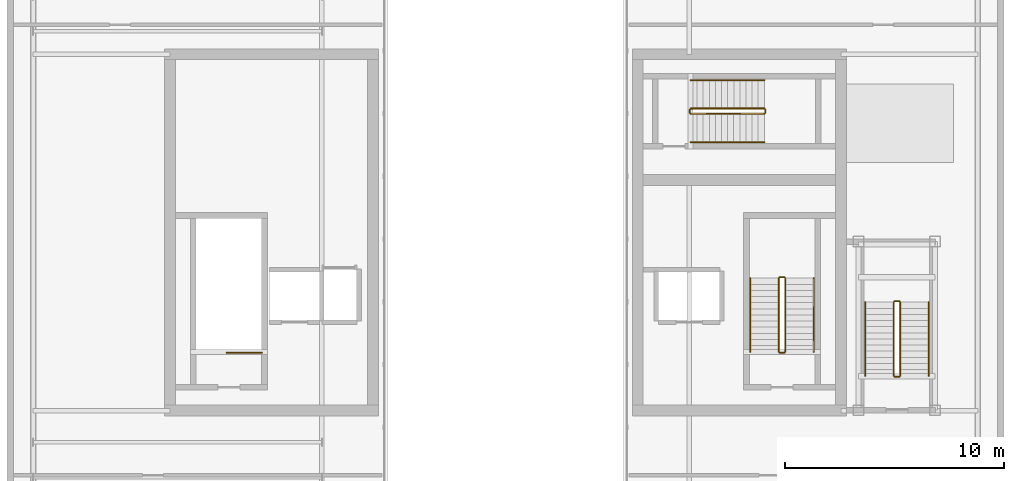
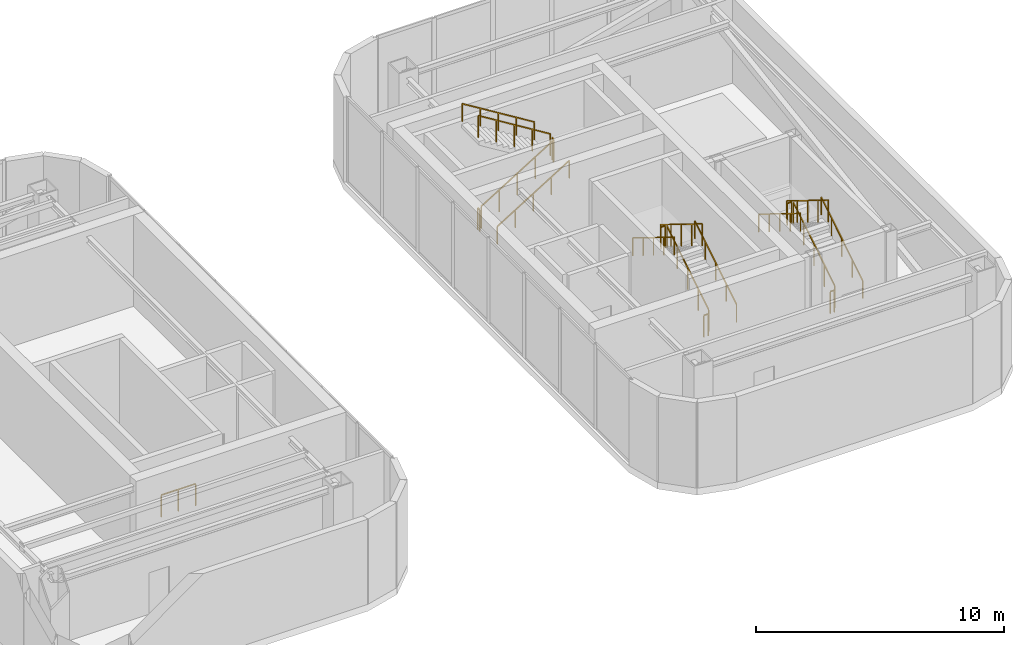
# One storey, part 13 of 13: 19 railings.
"""IFC4 building model written with IfcOpenShell, lengths in metres."""

from ifc_helpers import new_model, si_unit, direction, frame, origin, origin_2d, place, context, subcontext, project, spatial, rectangle, extrude, material, type_object, element, save


model = new_model("IFC4")

# Units and contexts
model_context = context("Model", 3, precision=1e-05, world=origin(), true_north=direction((0.0, 1.0)))
body_context = subcontext(model_context, "Body", "Model", "MODEL_VIEW")
ifc_project = project(units=[si_unit("LENGTHUNIT", "METRE"), si_unit("AREAUNIT", "SQUARE_METRE"), si_unit("VOLUMEUNIT", "CUBIC_METRE"), si_unit("PLANEANGLEUNIT", "RADIAN"), si_unit("MASSUNIT", "GRAM", prefix="KILO")], contexts=[model_context])

# Site, building, storey
site_placement = place(None, origin())
site = spatial("IfcSite", under=ifc_project, at=site_placement, CompositionType="ELEMENT")
building_placement = place(site_placement, origin())
building = spatial("IfcBuilding", under=site, at=building_placement, Name="Kiyonajd Concourse Tower", CompositionType="ELEMENT")
storey_placement = place(building_placement, frame((0.0, 0.0, 363.89990234375)))
storey = spatial("IfcBuildingStorey", under=building, at=storey_placement, Name="L91", CompositionType="ELEMENT", Elevation=363.89990234375)

# Railings
ifc_material_1 = material(Name="Steel ASTM A500 Grade C", Category="steel")
railing_type_1 = type_object("IfcRailingType", Name="RL-GRD-STR", PredefinedType="GUARDRAIL", material=ifc_material_1)
railing_1_placement = place(storey_placement, frame((36.85009765625, 30.5, 0.0)))
element("IfcRailing", 1, at=railing_1_placement, inside=storey, type_object=railing_type_1, Name="L91 ST1 top well guard 1", PredefinedType="GUARDRAIL", context=body_context, shape_type="SweptSolid", body=[
    extrude(rectangle(XDim=0.048095703125, YDim=0.048095703125, at=origin_2d()), frame((0.0, 0.0, 1.076171875), z_axis=(-1.0, 0.0, 0.0), x_axis=(0.0, -1.0, 0.0)), (0.0, 0.0, 1.0), 1.60009765625),
    extrude(rectangle(XDim=0.0419921875, YDim=0.0419921875, at=origin_2d()), origin(), (0.0, 0.0, 1.0), 1.052001953125),
    extrude(rectangle(XDim=0.0419921875, YDim=0.0419921875, at=origin_2d()), frame((-0.800048828125, 0.0, 0.0)), (0.0, 0.0, 1.0), 1.052001953125),
    extrude(rectangle(XDim=0.0419921875, YDim=0.0419921875, at=origin_2d()), frame((-1.60009765625, 0.0, 0.0)), (0.0, 0.0, 1.0), 1.052001953125),
])
railing_2_placement = place(storey_placement, frame((60.800048828125, 30.550048828125, 0.173095703125)))
element("IfcRailing", 2, at=railing_2_placement, inside=storey, type_object=railing_type_1, Name="L91 ST2 stair guard 1", PredefinedType="GUARDRAIL", context=body_context, shape_type="SweptSolid", body=[
    extrude(rectangle(XDim=0.048095703125, YDim=0.048095703125, at=origin_2d()), frame((0.0, 0.0, 1.076171875), z_axis=(0.0, 0.850606129759, 0.525803396734), x_axis=(-1.0, 0.0, 0.0)), (0.0, 0.0, 1.0), 3.949951171875),
    extrude(rectangle(XDim=0.0419921875, YDim=0.0419921875, at=origin_2d()), origin(), (0.0, 0.0, 1.0), 1.052001953125),
    extrude(rectangle(XDim=0.0419921875, YDim=0.0419921875, at=origin_2d()), frame((0.0, 0.83984375, 0.519287109375)), (0.0, 0.0, 1.0), 1.052001953125),
    extrude(rectangle(XDim=0.0419921875, YDim=0.0419921875, at=origin_2d()), frame((0.0, 1.679931640625, 1.03857421875)), (0.0, 0.0, 1.0), 1.052001953125),
    extrude(rectangle(XDim=0.0419921875, YDim=0.0419921875, at=origin_2d()), frame((0.0, 2.52001953125, 1.5576171875)), (0.0, 0.0, 1.0), 1.052001953125),
    extrude(rectangle(XDim=0.0419921875, YDim=0.0419921875, at=origin_2d()), frame((0.0, 3.35986328125, 2.076904296875)), (0.0, 0.0, 1.0), 1.052001953125),
])
railing_3_placement = place(storey_placement, frame((60.75, 33.9599609375, 2.25)))
element("IfcRailing", 3, at=railing_3_placement, inside=storey, type_object=railing_type_1, Name="L91 ST2 stair guard 2", PredefinedType="GUARDRAIL", context=body_context, shape_type="SweptSolid", body=[
    extrude(rectangle(XDim=0.048095703125, YDim=0.048095703125, at=origin_2d()), frame((0.0, 0.0, 1.076171875), z_axis=(-1.0, 0.0, 0.0), x_axis=(0.0, -1.0, 0.0)), (0.0, 0.0, 1.0), 0.199951171875),
    extrude(rectangle(XDim=0.0419921875, YDim=0.0419921875, at=origin_2d()), origin(), (0.0, 0.0, 1.0), 1.052001953125),
    extrude(rectangle(XDim=0.0419921875, YDim=0.0419921875, at=origin_2d()), frame((-0.199951171875, 0.0, 0.0)), (0.0, 0.0, 1.0), 1.052001953125),
])
railing_4_placement = place(storey_placement, frame((60.5, 33.909912109375, 2.423095703125)))
element("IfcRailing", 4, at=railing_4_placement, inside=storey, type_object=railing_type_1, Name="L91 ST2 stair guard 3", PredefinedType="GUARDRAIL", context=body_context, shape_type="SweptSolid", body=[
    extrude(rectangle(XDim=0.048095703125, YDim=0.048095703125, at=origin_2d()), frame((0.0, 0.0, 1.076171875), z_axis=(0.0, -0.850606129759, 0.525803396734), x_axis=(1.0, 0.0, 0.0)), (0.0, 0.0, 1.0), 3.949951171875),
    extrude(rectangle(XDim=0.0419921875, YDim=0.0419921875, at=origin_2d()), origin(), (0.0, 0.0, 1.0), 1.052001953125),
    extrude(rectangle(XDim=0.0419921875, YDim=0.0419921875, at=origin_2d()), frame((0.0, -0.83984375, 0.519287109375)), (0.0, 0.0, 1.0), 1.052001953125),
    extrude(rectangle(XDim=0.0419921875, YDim=0.0419921875, at=origin_2d()), frame((0.0, -1.679931640625, 1.03857421875)), (0.0, 0.0, 1.0), 1.052001953125),
    extrude(rectangle(XDim=0.0419921875, YDim=0.0419921875, at=origin_2d()), frame((0.0, -2.52001953125, 1.5576171875)), (0.0, 0.0, 1.0), 1.052001953125),
    extrude(rectangle(XDim=0.0419921875, YDim=0.0419921875, at=origin_2d()), frame((0.0, -3.35986328125, 2.076904296875)), (0.0, 0.0, 1.0), 1.052001953125),
])
railing_5_placement = place(storey_placement, frame((60.75, 30.5, 0.0)))
element("IfcRailing", 5, at=railing_5_placement, inside=storey, type_object=railing_type_1, Name="L91 ST2 stair guard 4", PredefinedType="GUARDRAIL", context=body_context, shape_type="SweptSolid", body=[
    extrude(rectangle(XDim=0.048095703125, YDim=0.048095703125, at=origin_2d()), frame((0.0, 0.0, 1.076171875), z_axis=(-1.0, 0.0, 0.0), x_axis=(0.0, -1.0, 0.0)), (0.0, 0.0, 1.0), 0.199951171875),
    extrude(rectangle(XDim=0.0419921875, YDim=0.0419921875, at=origin_2d()), origin(), (0.0, 0.0, 1.0), 1.052001953125),
    extrude(rectangle(XDim=0.0419921875, YDim=0.0419921875, at=origin_2d()), frame((-0.199951171875, 0.0, 0.0)), (0.0, 0.0, 1.0), 1.052001953125),
])
railing_6_placement = place(storey_placement, frame((56.47998046875, 41.429931640625, 0.173095703125)))
element("IfcRailing", 6, at=railing_6_placement, inside=storey, type_object=railing_type_1, Name="L91 ST3 stair guard 1", PredefinedType="GUARDRAIL", context=body_context, shape_type="SweptSolid", body=[
    extrude(rectangle(XDim=0.048095703125, YDim=0.048095703125, at=origin_2d()), frame((0.0, 0.0, 1.076171875), z_axis=(0.850623216509, 0.0, 0.525775754039), x_axis=(0.0, 1.0, 0.0)), (0.0, 0.0, 1.0), 3.9501953125),
    extrude(rectangle(XDim=0.0419921875, YDim=0.0419921875, at=origin_2d()), origin(), (0.0, 0.0, 1.0), 1.052001953125),
    extrude(rectangle(XDim=0.0419921875, YDim=0.0419921875, at=origin_2d()), frame((0.840087890625, 0.0, 0.519287109375)), (0.0, 0.0, 1.0), 1.052001953125),
    extrude(rectangle(XDim=0.0419921875, YDim=0.0419921875, at=origin_2d()), frame((1.68017578125, 0.0, 1.03857421875)), (0.0, 0.0, 1.0), 1.052001953125),
    extrude(rectangle(XDim=0.0419921875, YDim=0.0419921875, at=origin_2d()), frame((2.52001953125, 0.0, 1.5576171875)), (0.0, 0.0, 1.0), 1.052001953125),
    extrude(rectangle(XDim=0.0419921875, YDim=0.0419921875, at=origin_2d()), frame((3.360107421875, 0.0, 2.076904296875)), (0.0, 0.0, 1.0), 1.052001953125),
])
railing_7_placement = place(storey_placement, frame((59.889892578125, 41.47998046875, 2.25)))
element("IfcRailing", 7, at=railing_7_placement, inside=storey, type_object=railing_type_1, Name="L91 ST3 stair guard 2", PredefinedType="GUARDRAIL", context=body_context, shape_type="SweptSolid", body=[
    extrude(rectangle(XDim=0.048095703125, YDim=0.048095703125, at=origin_2d()), frame((0.0, 0.0, 1.076171875), z_axis=(0.0, 1.0, 0.0), x_axis=(-1.0, 0.0, 0.0)), (0.0, 0.0, 1.0), 0.14013671875),
    extrude(rectangle(XDim=0.0419921875, YDim=0.0419921875, at=origin_2d()), origin(), (0.0, 0.0, 1.0), 1.052001953125),
    extrude(rectangle(XDim=0.0419921875, YDim=0.0419921875, at=origin_2d()), frame((0.0, 0.14013671875, 0.0)), (0.0, 0.0, 1.0), 1.052001953125),
])
railing_8_placement = place(storey_placement, frame((59.840087890625, 41.669921875, 2.423095703125)))
element("IfcRailing", 8, at=railing_8_placement, inside=storey, type_object=railing_type_1, Name="L91 ST3 stair guard 3", PredefinedType="GUARDRAIL", context=body_context, shape_type="SweptSolid", body=[
    extrude(rectangle(XDim=0.048095703125, YDim=0.048095703125, at=origin_2d()), frame((0.0, 0.0, 1.076171875), z_axis=(-0.850623216509, 0.0, 0.525775754039), x_axis=(0.0, -1.0, 0.0)), (0.0, 0.0, 1.0), 3.9501953125),
    extrude(rectangle(XDim=0.0419921875, YDim=0.0419921875, at=origin_2d()), origin(), (0.0, 0.0, 1.0), 1.052001953125),
    extrude(rectangle(XDim=0.0419921875, YDim=0.0419921875, at=origin_2d()), frame((-0.840087890625, 0.0, 0.519287109375)), (0.0, 0.0, 1.0), 1.052001953125),
    extrude(rectangle(XDim=0.0419921875, YDim=0.0419921875, at=origin_2d()), frame((-1.68017578125, 0.0, 1.03857421875)), (0.0, 0.0, 1.0), 1.052001953125),
    extrude(rectangle(XDim=0.0419921875, YDim=0.0419921875, at=origin_2d()), frame((-2.52001953125, 0.0, 1.5576171875)), (0.0, 0.0, 1.0), 1.052001953125),
    extrude(rectangle(XDim=0.0419921875, YDim=0.0419921875, at=origin_2d()), frame((-3.360107421875, 0.0, 2.076904296875)), (0.0, 0.0, 1.0), 1.052001953125),
])
railing_9_placement = place(storey_placement, frame((56.429931640625, 41.47998046875, 0.0)))
element("IfcRailing", 9, at=railing_9_placement, inside=storey, type_object=railing_type_1, Name="L91 ST3 stair guard 4", PredefinedType="GUARDRAIL", context=body_context, shape_type="SweptSolid", body=[
    extrude(rectangle(XDim=0.048095703125, YDim=0.048095703125, at=origin_2d()), frame((0.0, 0.0, 1.076171875), z_axis=(0.0, 1.0, 0.0), x_axis=(-1.0, 0.0, 0.0)), (0.0, 0.0, 1.0), 0.14013671875),
    extrude(rectangle(XDim=0.0419921875, YDim=0.0419921875, at=origin_2d()), origin(), (0.0, 0.0, 1.0), 1.052001953125),
    extrude(rectangle(XDim=0.0419921875, YDim=0.0419921875, at=origin_2d()), frame((0.0, 0.14013671875, 0.0)), (0.0, 0.0, 1.0), 1.052001953125),
])
railing_10_placement = place(storey_placement, frame((66.050048828125, 29.449951171875, 0.173095703125)))
element("IfcRailing", 10, at=railing_10_placement, inside=storey, type_object=railing_type_1, Name="L91 ST6 stair guard 1", PredefinedType="GUARDRAIL", context=body_context, shape_type="SweptSolid", body=[
    extrude(rectangle(XDim=0.048095703125, YDim=0.048095703125, at=origin_2d()), frame((0.0, 0.0, 1.076171875), z_axis=(0.0, 0.850623216509, 0.525775754039), x_axis=(-1.0, 0.0, 0.0)), (0.0, 0.0, 1.0), 3.9501953125),
    extrude(rectangle(XDim=0.0419921875, YDim=0.0419921875, at=origin_2d()), origin(), (0.0, 0.0, 1.0), 1.052001953125),
    extrude(rectangle(XDim=0.0419921875, YDim=0.0419921875, at=origin_2d()), frame((0.0, 0.840087890625, 0.519287109375)), (0.0, 0.0, 1.0), 1.052001953125),
    extrude(rectangle(XDim=0.0419921875, YDim=0.0419921875, at=origin_2d()), frame((0.0, 1.68017578125, 1.03857421875)), (0.0, 0.0, 1.0), 1.052001953125),
    extrude(rectangle(XDim=0.0419921875, YDim=0.0419921875, at=origin_2d()), frame((0.0, 2.52001953125, 1.5576171875)), (0.0, 0.0, 1.0), 1.052001953125),
    extrude(rectangle(XDim=0.0419921875, YDim=0.0419921875, at=origin_2d()), frame((0.0, 3.360107421875, 2.076904296875)), (0.0, 0.0, 1.0), 1.052001953125),
])
railing_11_placement = place(storey_placement, frame((66.0, 32.860107421875, 2.25)))
element("IfcRailing", 11, at=railing_11_placement, inside=storey, type_object=railing_type_1, Name="L91 ST6 stair guard 2", PredefinedType="GUARDRAIL", context=body_context, shape_type="SweptSolid", body=[
    extrude(rectangle(XDim=0.048095703125, YDim=0.048095703125, at=origin_2d()), frame((0.0, 0.0, 1.076171875), z_axis=(-1.0, 0.0, 0.0), x_axis=(0.0, -1.0, 0.0)), (0.0, 0.0, 1.0), 0.199951171875),
    extrude(rectangle(XDim=0.0419921875, YDim=0.0419921875, at=origin_2d()), origin(), (0.0, 0.0, 1.0), 1.052001953125),
    extrude(rectangle(XDim=0.0419921875, YDim=0.0419921875, at=origin_2d()), frame((-0.199951171875, 0.0, 0.0)), (0.0, 0.0, 1.0), 1.052001953125),
])
railing_12_placement = place(storey_placement, frame((65.75, 32.81005859375, 2.423095703125)))
element("IfcRailing", 12, at=railing_12_placement, inside=storey, type_object=railing_type_1, Name="L91 ST6 stair guard 3", PredefinedType="GUARDRAIL", context=body_context, shape_type="SweptSolid", body=[
    extrude(rectangle(XDim=0.048095703125, YDim=0.048095703125, at=origin_2d()), frame((0.0, 0.0, 1.076171875), z_axis=(0.0, -0.850623216509, 0.525775754039), x_axis=(1.0, 0.0, 0.0)), (0.0, 0.0, 1.0), 3.9501953125),
    extrude(rectangle(XDim=0.0419921875, YDim=0.0419921875, at=origin_2d()), origin(), (0.0, 0.0, 1.0), 1.052001953125),
    extrude(rectangle(XDim=0.0419921875, YDim=0.0419921875, at=origin_2d()), frame((0.0, -0.840087890625, 0.519287109375)), (0.0, 0.0, 1.0), 1.052001953125),
    extrude(rectangle(XDim=0.0419921875, YDim=0.0419921875, at=origin_2d()), frame((0.0, -1.68017578125, 1.03857421875)), (0.0, 0.0, 1.0), 1.052001953125),
    extrude(rectangle(XDim=0.0419921875, YDim=0.0419921875, at=origin_2d()), frame((0.0, -2.52001953125, 1.5576171875)), (0.0, 0.0, 1.0), 1.052001953125),
    extrude(rectangle(XDim=0.0419921875, YDim=0.0419921875, at=origin_2d()), frame((0.0, -3.360107421875, 2.076904296875)), (0.0, 0.0, 1.0), 1.052001953125),
])
railing_13_placement = place(storey_placement, frame((66.0, 29.39990234375, 0.0)))
element("IfcRailing", 13, at=railing_13_placement, inside=storey, type_object=railing_type_1, Name="L91 ST6 stair guard 4", PredefinedType="GUARDRAIL", context=body_context, shape_type="SweptSolid", body=[
    extrude(rectangle(XDim=0.048095703125, YDim=0.048095703125, at=origin_2d()), frame((0.0, 0.0, 1.076171875), z_axis=(-1.0, 0.0, 0.0), x_axis=(0.0, -1.0, 0.0)), (0.0, 0.0, 1.0), 0.199951171875),
    extrude(rectangle(XDim=0.0419921875, YDim=0.0419921875, at=origin_2d()), origin(), (0.0, 0.0, 1.0), 1.052001953125),
    extrude(rectangle(XDim=0.0419921875, YDim=0.0419921875, at=origin_2d()), frame((-0.199951171875, 0.0, 0.0)), (0.0, 0.0, 1.0), 1.052001953125),
])
ifc_material_2 = material(Name="Brushed Stainless Steel Cab Assembly", Category="steel")
railing_type_2 = type_object("IfcRailingType", Name="RL-HND-900", PredefinedType="HANDRAIL", material=ifc_material_2)
railing_14_placement = place(storey_placement, frame((62.10009765625, 30.550048828125, 0.173095703125)))
element("IfcRailing", 14, at=railing_14_placement, inside=storey, type_object=railing_type_2, Name="L91 ST2 stair handrail 1", PredefinedType="HANDRAIL", context=body_context, shape_type="SweptSolid", body=[
    extrude(rectangle(XDim=0.048095703125, YDim=0.048095703125, at=origin_2d()), frame((0.0, 0.0, 0.8759765625), z_axis=(0.0, 0.850606129759, 0.525803396734), x_axis=(-1.0, 0.0, 0.0)), (0.0, 0.0, 1.0), 3.949951171875),
    extrude(rectangle(XDim=0.0419921875, YDim=0.0419921875, at=origin_2d()), origin(), (0.0, 0.0, 1.0), 0.851806640625),
    extrude(rectangle(XDim=0.0419921875, YDim=0.0419921875, at=origin_2d()), frame((0.0, 0.83984375, 0.519287109375)), (0.0, 0.0, 1.0), 0.851806640625),
    extrude(rectangle(XDim=0.0419921875, YDim=0.0419921875, at=origin_2d()), frame((0.0, 1.679931640625, 1.03857421875)), (0.0, 0.0, 1.0), 0.851806640625),
    extrude(rectangle(XDim=0.0419921875, YDim=0.0419921875, at=origin_2d()), frame((0.0, 2.52001953125, 1.5576171875)), (0.0, 0.0, 1.0), 0.851806640625),
    extrude(rectangle(XDim=0.0419921875, YDim=0.0419921875, at=origin_2d()), frame((0.0, 3.35986328125, 2.076904296875)), (0.0, 0.0, 1.0), 0.851806640625),
])
railing_15_placement = place(storey_placement, frame((59.199951171875, 33.909912109375, 2.423095703125)))
element("IfcRailing", 15, at=railing_15_placement, inside=storey, type_object=railing_type_2, Name="L91 ST2 stair handrail 2", PredefinedType="HANDRAIL", context=body_context, shape_type="SweptSolid", body=[
    extrude(rectangle(XDim=0.048095703125, YDim=0.048095703125, at=origin_2d()), frame((0.0, 0.0, 0.8759765625), z_axis=(0.0, -0.850606129759, 0.525803396734), x_axis=(1.0, 0.0, 0.0)), (0.0, 0.0, 1.0), 3.949951171875),
    extrude(rectangle(XDim=0.0419921875, YDim=0.0419921875, at=origin_2d()), origin(), (0.0, 0.0, 1.0), 0.851806640625),
    extrude(rectangle(XDim=0.0419921875, YDim=0.0419921875, at=origin_2d()), frame((0.0, -0.83984375, 0.519287109375)), (0.0, 0.0, 1.0), 0.851806640625),
    extrude(rectangle(XDim=0.0419921875, YDim=0.0419921875, at=origin_2d()), frame((0.0, -1.679931640625, 1.03857421875)), (0.0, 0.0, 1.0), 0.851806640625),
    extrude(rectangle(XDim=0.0419921875, YDim=0.0419921875, at=origin_2d()), frame((0.0, -2.52001953125, 1.5576171875)), (0.0, 0.0, 1.0), 0.851806640625),
    extrude(rectangle(XDim=0.0419921875, YDim=0.0419921875, at=origin_2d()), frame((0.0, -3.35986328125, 2.076904296875)), (0.0, 0.0, 1.0), 0.851806640625),
])
railing_16_placement = place(storey_placement, frame((56.47998046875, 40.1298828125, 0.173095703125)))
element("IfcRailing", 16, at=railing_16_placement, inside=storey, type_object=railing_type_2, Name="L91 ST3 stair handrail 1", PredefinedType="HANDRAIL", context=body_context, shape_type="SweptSolid", body=[
    extrude(rectangle(XDim=0.048095703125, YDim=0.048095703125, at=origin_2d()), frame((0.0, 0.0, 0.8759765625), z_axis=(0.850623216509, 0.0, 0.525775754039), x_axis=(0.0, 1.0, 0.0)), (0.0, 0.0, 1.0), 3.9501953125),
    extrude(rectangle(XDim=0.0419921875, YDim=0.0419921875, at=origin_2d()), origin(), (0.0, 0.0, 1.0), 0.851806640625),
    extrude(rectangle(XDim=0.0419921875, YDim=0.0419921875, at=origin_2d()), frame((0.840087890625, 0.0, 0.519287109375)), (0.0, 0.0, 1.0), 0.851806640625),
    extrude(rectangle(XDim=0.0419921875, YDim=0.0419921875, at=origin_2d()), frame((1.68017578125, 0.0, 1.03857421875)), (0.0, 0.0, 1.0), 0.851806640625),
    extrude(rectangle(XDim=0.0419921875, YDim=0.0419921875, at=origin_2d()), frame((2.52001953125, 0.0, 1.5576171875)), (0.0, 0.0, 1.0), 0.851806640625),
    extrude(rectangle(XDim=0.0419921875, YDim=0.0419921875, at=origin_2d()), frame((3.360107421875, 0.0, 2.076904296875)), (0.0, 0.0, 1.0), 0.851806640625),
])
railing_17_placement = place(storey_placement, frame((59.840087890625, 42.969970703125, 2.423095703125)))
element("IfcRailing", 17, at=railing_17_placement, inside=storey, type_object=railing_type_2, Name="L91 ST3 stair handrail 2", PredefinedType="HANDRAIL", context=body_context, shape_type="SweptSolid", body=[
    extrude(rectangle(XDim=0.048095703125, YDim=0.048095703125, at=origin_2d()), frame((0.0, 0.0, 0.8759765625), z_axis=(-0.850623216509, 0.0, 0.525775754039), x_axis=(0.0, -1.0, 0.0)), (0.0, 0.0, 1.0), 3.9501953125),
    extrude(rectangle(XDim=0.0419921875, YDim=0.0419921875, at=origin_2d()), origin(), (0.0, 0.0, 1.0), 0.851806640625),
    extrude(rectangle(XDim=0.0419921875, YDim=0.0419921875, at=origin_2d()), frame((-0.840087890625, 0.0, 0.519287109375)), (0.0, 0.0, 1.0), 0.851806640625),
    extrude(rectangle(XDim=0.0419921875, YDim=0.0419921875, at=origin_2d()), frame((-1.68017578125, 0.0, 1.03857421875)), (0.0, 0.0, 1.0), 0.851806640625),
    extrude(rectangle(XDim=0.0419921875, YDim=0.0419921875, at=origin_2d()), frame((-2.52001953125, 0.0, 1.5576171875)), (0.0, 0.0, 1.0), 0.851806640625),
    extrude(rectangle(XDim=0.0419921875, YDim=0.0419921875, at=origin_2d()), frame((-3.360107421875, 0.0, 2.076904296875)), (0.0, 0.0, 1.0), 0.851806640625),
])
railing_18_placement = place(storey_placement, frame((67.35009765625, 29.449951171875, 0.173095703125)))
element("IfcRailing", 18, at=railing_18_placement, inside=storey, type_object=railing_type_2, Name="L91 ST6 stair handrail 1", PredefinedType="HANDRAIL", context=body_context, shape_type="SweptSolid", body=[
    extrude(rectangle(XDim=0.048095703125, YDim=0.048095703125, at=origin_2d()), frame((0.0, 0.0, 0.8759765625), z_axis=(0.0, 0.850623216509, 0.525775754039), x_axis=(-1.0, 0.0, 0.0)), (0.0, 0.0, 1.0), 3.9501953125),
    extrude(rectangle(XDim=0.0419921875, YDim=0.0419921875, at=origin_2d()), origin(), (0.0, 0.0, 1.0), 0.851806640625),
    extrude(rectangle(XDim=0.0419921875, YDim=0.0419921875, at=origin_2d()), frame((0.0, 0.840087890625, 0.519287109375)), (0.0, 0.0, 1.0), 0.851806640625),
    extrude(rectangle(XDim=0.0419921875, YDim=0.0419921875, at=origin_2d()), frame((0.0, 1.68017578125, 1.03857421875)), (0.0, 0.0, 1.0), 0.851806640625),
    extrude(rectangle(XDim=0.0419921875, YDim=0.0419921875, at=origin_2d()), frame((0.0, 2.52001953125, 1.5576171875)), (0.0, 0.0, 1.0), 0.851806640625),
    extrude(rectangle(XDim=0.0419921875, YDim=0.0419921875, at=origin_2d()), frame((0.0, 3.360107421875, 2.076904296875)), (0.0, 0.0, 1.0), 0.851806640625),
])
railing_19_placement = place(storey_placement, frame((64.449951171875, 32.81005859375, 2.423095703125)))
element("IfcRailing", 19, at=railing_19_placement, inside=storey, type_object=railing_type_2, Name="L91 ST6 stair handrail 2", PredefinedType="HANDRAIL", context=body_context, shape_type="SweptSolid", body=[
    extrude(rectangle(XDim=0.048095703125, YDim=0.048095703125, at=origin_2d()), frame((0.0, 0.0, 0.8759765625), z_axis=(0.0, -0.850623216509, 0.525775754039), x_axis=(1.0, 0.0, 0.0)), (0.0, 0.0, 1.0), 3.9501953125),
    extrude(rectangle(XDim=0.0419921875, YDim=0.0419921875, at=origin_2d()), origin(), (0.0, 0.0, 1.0), 0.851806640625),
    extrude(rectangle(XDim=0.0419921875, YDim=0.0419921875, at=origin_2d()), frame((0.0, -0.840087890625, 0.519287109375)), (0.0, 0.0, 1.0), 0.851806640625),
    extrude(rectangle(XDim=0.0419921875, YDim=0.0419921875, at=origin_2d()), frame((0.0, -1.68017578125, 1.03857421875)), (0.0, 0.0, 1.0), 0.851806640625),
    extrude(rectangle(XDim=0.0419921875, YDim=0.0419921875, at=origin_2d()), frame((0.0, -2.52001953125, 1.5576171875)), (0.0, 0.0, 1.0), 0.851806640625),
    extrude(rectangle(XDim=0.0419921875, YDim=0.0419921875, at=origin_2d()), frame((0.0, -3.360107421875, 2.076904296875)), (0.0, 0.0, 1.0), 0.851806640625),
])

save(model, "model.ifc")
